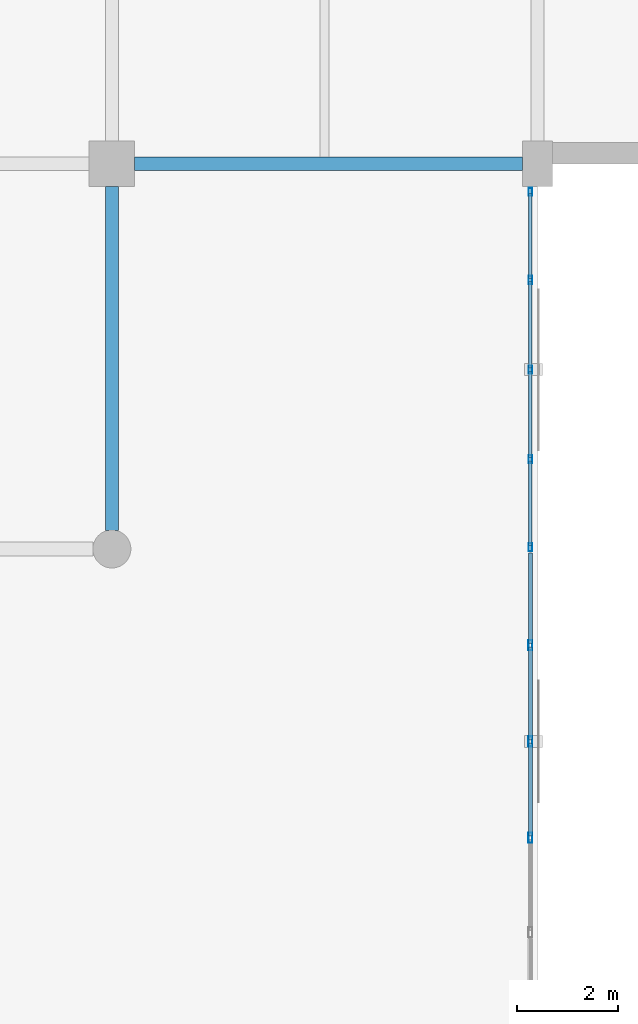
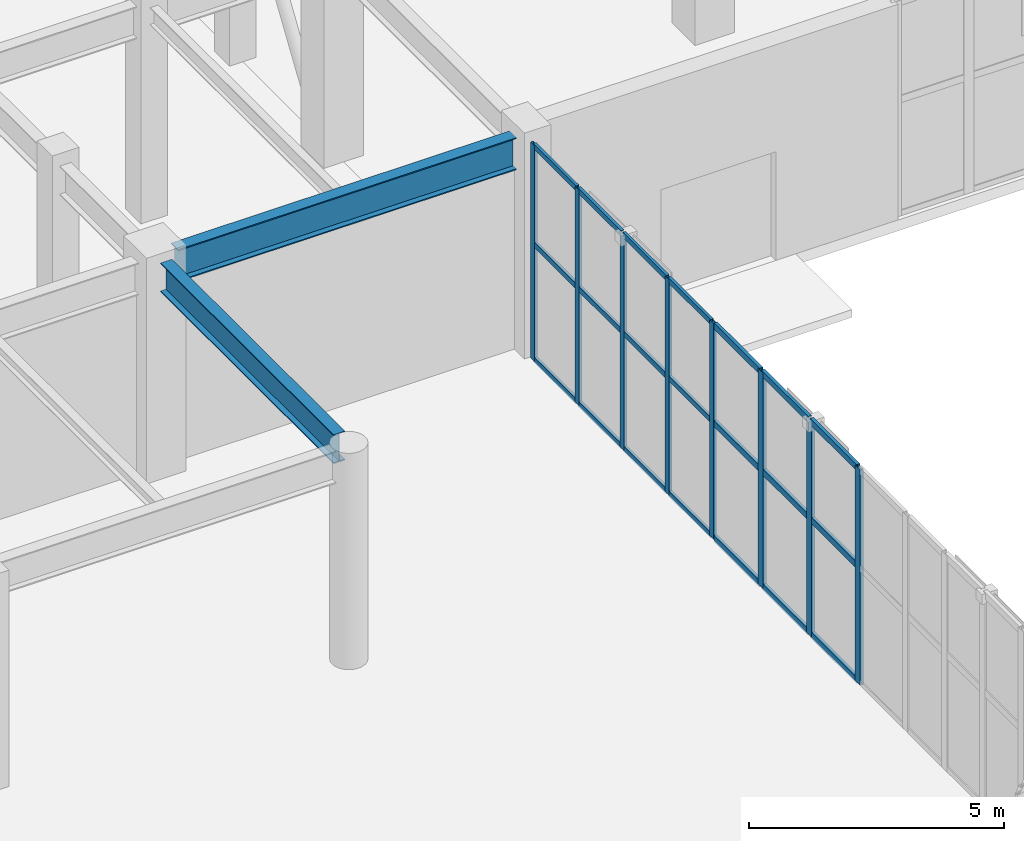
# One storey, part 35 of 139: 29 members, 2 beams, 2 elements without a shape of their own.
"""IFC4 building model written with IfcOpenShell, lengths in metres."""

from ifc_helpers import new_model, si_unit, direction, frame, origin, origin_2d, place, context, subcontext, project, spatial, hollow_rectangle, i_section, extrude, material, layer, layer_set, material_profile, profile_set, type_object, element, aggregate, save


model = new_model("IFC4")

# Units and contexts
model_context = context("Model", 3, precision=1e-05, world=origin(), true_north=direction((0.0, 1.0)))
body_context = subcontext(model_context, "Body", "Model", "MODEL_VIEW")
ifc_project = project(units=[si_unit("LENGTHUNIT", "METRE"), si_unit("AREAUNIT", "SQUARE_METRE"), si_unit("VOLUMEUNIT", "CUBIC_METRE"), si_unit("PLANEANGLEUNIT", "RADIAN"), si_unit("MASSUNIT", "GRAM", prefix="KILO")], contexts=[model_context])

# Site, building, storey
site_placement = place(None, origin())
site = spatial("IfcSite", under=ifc_project, at=site_placement, CompositionType="ELEMENT")
building_placement = place(site_placement, origin())
building = spatial("IfcBuilding", under=site, at=building_placement, Name="Xicomal Pleat Aquarium", CompositionType="ELEMENT")
storey_placement = place(building_placement, origin())
storey = spatial("IfcBuildingStorey", under=building, at=storey_placement, Name="L01", CompositionType="ELEMENT", Elevation=0.0)

# Beams
ifc_material_1 = material(Name="Structural steel A992 Gr 50", Category="steel")
ifc_material_profile_1 = material_profile(ifc_material_1, i_section(OverallWidth=0.256103515625, OverallDepth=0.693115234375, WebThickness=0.014404296875, FlangeThickness=0.023681640625, at=origin_2d()), Name="IR 690x170")
ifc_profile_set_1 = profile_set([ifc_material_profile_1], Name="Structural steel A992 Gr 50")
beam_type_1 = type_object("IfcBeamType", Name="BM-STL-IR690", PredefinedType="BEAM", material=ifc_profile_set_1)
beam_1_placement = place(storey_placement, frame((85.800048828125, 23.169921875, 4.82861328125), z_axis=(0.0, 1.0, 0.0), x_axis=(-1.0, 0.0, 0.0)))
element("IfcBeam", 1, at=beam_1_placement, inside=storey, type_object=beam_type_1, Name="L01 framing beam FGY-L01-11-D-E", PredefinedType="BEAM", context=body_context, shape_type="SweptSolid", body=[
    extrude(i_section(OverallWidth=0.256103515625, OverallDepth=0.693115234375, WebThickness=0.014404296875, FlangeThickness=0.023681640625, at=origin_2d()), origin(), (0.0, 0.0, 1.0), 6.78515625),
])
ifc_material_2 = material(Name="Structural steel A992 Gr 50", Category="steel")
ifc_material_profile_2 = material_profile(ifc_material_2, i_section(OverallWidth=0.26806640625, OverallDepth=0.77001953125, WebThickness=0.015625, FlangeThickness=0.025390625, at=origin_2d()), Name="IR 760x196")
ifc_profile_set_2 = profile_set([ifc_material_profile_2], Name="Structural steel A992 Gr 50")
beam_type_2 = type_object("IfcBeamType", Name="BM-STL-IR760", PredefinedType="BEAM", material=ifc_profile_set_2)
beam_2_placement = place(storey_placement, frame((86.2451171875, 30.39990234375, 4.715087890625), z_axis=(1.0, 0.0, 0.0), x_axis=(0.0, 1.0, 0.0)))
element("IfcBeam", 2, at=beam_2_placement, inside=storey, type_object=beam_type_2, Name="L01 framing beam FGX-L01-11-12-E", PredefinedType="BEAM", context=body_context, shape_type="SweptSolid", body=[
    extrude(i_section(OverallWidth=0.26806640625, OverallDepth=0.77001953125, WebThickness=0.015625, FlangeThickness=0.025390625, at=origin_2d()), origin(), (0.0, 0.0, 1.0), 7.659912109375),
])

# Curtain wall, members
ifc_material_3 = material(Name="Bronze anodized aluminium 6063-T6", Category="aluminium")
ifc_layer_1 = layer(ifc_material_3, 0.159912109375)
ifc_layer_set_1 = layer_set([ifc_layer_1], Name="Bronze anodized aluminium 6063-T6")
curtain_wall_type_1 = type_object("IfcCurtainWallType", Name="CW-SYS-01", PredefinedType="NOTDEFINED", material=ifc_layer_set_1)
curtain_wall_1_placement = place(storey_placement, origin())
curtain_wall_1 = element("IfcCurtainWall", 3, at=curtain_wall_1_placement, inside=storey, type_object=curtain_wall_type_1, Name="L01 unitised curtain wall CW-L01-051", PredefinedType="NOTDEFINED")
ifc_material_4 = material(Name="Bronze anodized aluminium 6063-T6", Category="aluminium")
ifc_material_profile_3 = material_profile(ifc_material_4, hollow_rectangle(XDim=0.06494140625, YDim=0.159912109375, WallThickness=0.00390625, at=origin_2d()), Name="ALU MULL 65x160")
ifc_profile_set_3 = profile_set([ifc_material_profile_3], Name="Bronze anodized aluminium 6063-T6")
member_type_1 = type_object("IfcMemberType", Name="CWM-65x160", PredefinedType="MULLION", material=ifc_profile_set_3)
member_1_placement = place(storey_placement, frame((94.06005859375, 29.847412109375, 0.0), z_axis=(0.0, 0.0, 1.0), x_axis=(1.0, 0.0, 0.0)))
member_1 = element("IfcMember", 4, at=member_1_placement, type_object=member_type_1, Name="CW-01 mullion 1", PredefinedType="MULLION", context=body_context, shape_type="SweptSolid", body=[
    extrude(hollow_rectangle(XDim=0.06494140625, YDim=0.159912109375, WallThickness=0.00390625, at=origin_2d()), origin(), (0.0, 0.0, 1.0), 5.159912109375),
])
member_2_placement = place(storey_placement, frame((94.06005859375, 28.110107421875, 0.0), z_axis=(0.0, 0.0, 1.0), x_axis=(1.0, 0.0, 0.0)))
member_2 = element("IfcMember", 5, at=member_2_placement, type_object=member_type_1, Name="CW-01 mullion 2", PredefinedType="MULLION", context=body_context, shape_type="SweptSolid", body=[
    extrude(hollow_rectangle(XDim=0.06494140625, YDim=0.159912109375, WallThickness=0.00390625, at=origin_2d()), origin(), (0.0, 0.0, 1.0), 5.159912109375),
])
member_3_placement = place(storey_placement, frame((94.06005859375, 26.340087890625, 0.0), z_axis=(0.0, 0.0, 1.0), x_axis=(1.0, 0.0, 0.0)))
member_3 = element("IfcMember", 6, at=member_3_placement, type_object=member_type_1, Name="CW-01 mullion 3", PredefinedType="MULLION", context=body_context, shape_type="SweptSolid", body=[
    extrude(hollow_rectangle(XDim=0.06494140625, YDim=0.159912109375, WallThickness=0.00390625, at=origin_2d()), origin(), (0.0, 0.0, 1.0), 5.159912109375),
])
member_4_placement = place(storey_placement, frame((94.06005859375, 24.570068359375, 0.0), z_axis=(0.0, 0.0, 1.0), x_axis=(1.0, 0.0, 0.0)))
member_4 = element("IfcMember", 7, at=member_4_placement, type_object=member_type_1, Name="CW-01 mullion 4", PredefinedType="MULLION", context=body_context, shape_type="SweptSolid", body=[
    extrude(hollow_rectangle(XDim=0.06494140625, YDim=0.159912109375, WallThickness=0.00390625, at=origin_2d()), origin(), (0.0, 0.0, 1.0), 5.159912109375),
])
member_5_placement = place(storey_placement, frame((94.06005859375, 22.83251953125, 0.0), z_axis=(0.0, 0.0, 1.0), x_axis=(1.0, 0.0, 0.0)))
member_5 = element("IfcMember", 8, at=member_5_placement, type_object=member_type_1, Name="CW-01 mullion 5", PredefinedType="MULLION", context=body_context, shape_type="SweptSolid", body=[
    extrude(hollow_rectangle(XDim=0.06494140625, YDim=0.159912109375, WallThickness=0.00390625, at=origin_2d()), origin(), (0.0, 0.0, 1.0), 5.159912109375),
])

ifc_material_5 = material(Name="Bronze anodized aluminium 6063-T6", Category="aluminium")
ifc_layer_2 = layer(ifc_material_5, 0.159912109375)
ifc_layer_set_2 = layer_set([ifc_layer_2], Name="Bronze anodized aluminium 6063-T6")
curtain_wall_type_2 = type_object("IfcCurtainWallType", Name="CW-SYS-06", PredefinedType="NOTDEFINED", material=ifc_layer_set_2)
curtain_wall_2_placement = place(storey_placement, origin())
curtain_wall_2 = element("IfcCurtainWall", 9, at=curtain_wall_2_placement, inside=storey, type_object=curtain_wall_type_2, Name="L01 unitised curtain wall CW-L01-052", PredefinedType="NOTDEFINED")
ifc_material_6 = material(Name="Bronze anodized aluminium 6063-T6", Category="aluminium")
ifc_material_profile_4 = material_profile(ifc_material_6, hollow_rectangle(XDim=0.074951171875, YDim=0.199951171875, WallThickness=0.00439453125, at=origin_2d()), Name="ALU MULL 75x200")
ifc_profile_set_4 = profile_set([ifc_material_profile_4], Name="Bronze anodized aluminium 6063-T6")
member_type_2 = type_object("IfcMemberType", Name="CWM-75x200", PredefinedType="MULLION", material=ifc_profile_set_4)
member_6_placement = place(storey_placement, frame((94.06005859375, 20.89990234375, 0.0), z_axis=(0.0, 0.0, 1.0), x_axis=(1.0, 0.0, 0.0)))
member_6 = element("IfcMember", 10, at=member_6_placement, type_object=member_type_2, Name="CW-06 mullion 2", PredefinedType="MULLION", context=body_context, shape_type="SweptSolid", body=[
    extrude(hollow_rectangle(XDim=0.074951171875, YDim=0.199951171875, WallThickness=0.00439453125, at=origin_2d()), origin(), (0.0, 0.0, 1.0), 5.159912109375),
])
member_7_placement = place(storey_placement, frame((94.06005859375, 19.0, 0.0), z_axis=(0.0, 0.0, 1.0), x_axis=(1.0, 0.0, 0.0)))
member_7 = element("IfcMember", 11, at=member_7_placement, type_object=member_type_2, Name="CW-06 mullion 3", PredefinedType="MULLION", context=body_context, shape_type="SweptSolid", body=[
    extrude(hollow_rectangle(XDim=0.074951171875, YDim=0.199951171875, WallThickness=0.00439453125, at=origin_2d()), origin(), (0.0, 0.0, 1.0), 5.159912109375),
])
member_8_placement = place(storey_placement, frame((94.06005859375, 17.10009765625, 0.0), z_axis=(0.0, 0.0, 1.0), x_axis=(1.0, 0.0, 0.0)))
member_8 = element("IfcMember", 12, at=member_8_placement, type_object=member_type_2, Name="CW-06 mullion 4", PredefinedType="MULLION", context=body_context, shape_type="SweptSolid", body=[
    extrude(hollow_rectangle(XDim=0.074951171875, YDim=0.199951171875, WallThickness=0.00439453125, at=origin_2d()), origin(), (0.0, 0.0, 1.0), 5.159912109375),
])

# Member
ifc_material_7 = material(Name="Bronze anodized aluminium 6063-T6", Category="aluminium")
ifc_material_profile_5 = material_profile(ifc_material_7, hollow_rectangle(XDim=0.06494140625, YDim=0.1298828125, WallThickness=0.00390625, at=origin_2d()), Name="ALU TRAN 65x130")
ifc_profile_set_5 = profile_set([ifc_material_profile_5], Name="Bronze anodized aluminium 6063-T6")
member_type_3 = type_object("IfcMemberType", Name="CWT-65x130", PredefinedType="USERDEFINED", material=ifc_profile_set_5)
member_9_placement = place(storey_placement, frame((94.06005859375, 29.81494140625, 0.032470703125), z_axis=(0.0, -1.0, 0.0), x_axis=(1.0, 0.0, 0.0)))
member_9 = element("IfcMember", 13, at=member_9_placement, type_object=member_type_3, Name="CW-01 transom 1.1", ObjectType="TRANSOM", PredefinedType="USERDEFINED", context=body_context, shape_type="SweptSolid", body=[
    extrude(hollow_rectangle(XDim=0.06494140625, YDim=0.1298828125, WallThickness=0.00390625, at=origin_2d()), origin(), (0.0, 0.0, 1.0), 1.67236328125),
])

member_10_placement = place(storey_placement, frame((94.06005859375, 29.81494140625, 2.785888671875), z_axis=(0.0, -1.0, 0.0), x_axis=(1.0, 0.0, 0.0)))
member_10 = element("IfcMember", 14, at=member_10_placement, type_object=member_type_3, Name="CW-01 transom 1.2", ObjectType="TRANSOM", PredefinedType="USERDEFINED", context=body_context, shape_type="SweptSolid", body=[
    extrude(hollow_rectangle(XDim=0.06494140625, YDim=0.1298828125, WallThickness=0.00390625, at=origin_2d()), origin(), (0.0, 0.0, 1.0), 1.67236328125),
])

member_11_placement = place(storey_placement, frame((94.06005859375, 29.81494140625, 5.12744140625), z_axis=(0.0, -1.0, 0.0), x_axis=(1.0, 0.0, 0.0)))
member_11 = element("IfcMember", 15, at=member_11_placement, type_object=member_type_3, Name="CW-01 transom 1.3", ObjectType="TRANSOM", PredefinedType="USERDEFINED", context=body_context, shape_type="SweptSolid", body=[
    extrude(hollow_rectangle(XDim=0.06494140625, YDim=0.1298828125, WallThickness=0.00390625, at=origin_2d()), origin(), (0.0, 0.0, 1.0), 1.67236328125),
])

member_12_placement = place(storey_placement, frame((94.06005859375, 28.077392578125, 0.032470703125), z_axis=(0.0, -1.0, 0.0), x_axis=(1.0, 0.0, 0.0)))
member_12 = element("IfcMember", 16, at=member_12_placement, type_object=member_type_3, Name="CW-01 transom 2.1", ObjectType="TRANSOM", PredefinedType="USERDEFINED", context=body_context, shape_type="SweptSolid", body=[
    extrude(hollow_rectangle(XDim=0.06494140625, YDim=0.1298828125, WallThickness=0.00390625, at=origin_2d()), origin(), (0.0, 0.0, 1.0), 1.704833984375),
])

member_13_placement = place(storey_placement, frame((94.06005859375, 28.077392578125, 2.785888671875), z_axis=(0.0, -1.0, 0.0), x_axis=(1.0, 0.0, 0.0)))
member_13 = element("IfcMember", 17, at=member_13_placement, type_object=member_type_3, Name="CW-01 transom 2.2", ObjectType="TRANSOM", PredefinedType="USERDEFINED", context=body_context, shape_type="SweptSolid", body=[
    extrude(hollow_rectangle(XDim=0.06494140625, YDim=0.1298828125, WallThickness=0.00390625, at=origin_2d()), origin(), (0.0, 0.0, 1.0), 1.704833984375),
])

member_14_placement = place(storey_placement, frame((94.06005859375, 28.077392578125, 5.12744140625), z_axis=(0.0, -1.0, 0.0), x_axis=(1.0, 0.0, 0.0)))
member_14 = element("IfcMember", 18, at=member_14_placement, type_object=member_type_3, Name="CW-01 transom 2.3", ObjectType="TRANSOM", PredefinedType="USERDEFINED", context=body_context, shape_type="SweptSolid", body=[
    extrude(hollow_rectangle(XDim=0.06494140625, YDim=0.1298828125, WallThickness=0.00390625, at=origin_2d()), origin(), (0.0, 0.0, 1.0), 1.704833984375),
])

member_15_placement = place(storey_placement, frame((94.06005859375, 26.3076171875, 0.032470703125), z_axis=(0.0, -1.0, 0.0), x_axis=(1.0, 0.0, 0.0)))
member_15 = element("IfcMember", 19, at=member_15_placement, type_object=member_type_3, Name="CW-01 transom 3.1", ObjectType="TRANSOM", PredefinedType="USERDEFINED", context=body_context, shape_type="SweptSolid", body=[
    extrude(hollow_rectangle(XDim=0.06494140625, YDim=0.1298828125, WallThickness=0.00390625, at=origin_2d()), origin(), (0.0, 0.0, 1.0), 1.705078125),
])

member_16_placement = place(storey_placement, frame((94.06005859375, 26.3076171875, 2.785888671875), z_axis=(0.0, -1.0, 0.0), x_axis=(1.0, 0.0, 0.0)))
member_16 = element("IfcMember", 20, at=member_16_placement, type_object=member_type_3, Name="CW-01 transom 3.2", ObjectType="TRANSOM", PredefinedType="USERDEFINED", context=body_context, shape_type="SweptSolid", body=[
    extrude(hollow_rectangle(XDim=0.06494140625, YDim=0.1298828125, WallThickness=0.00390625, at=origin_2d()), origin(), (0.0, 0.0, 1.0), 1.705078125),
])

member_17_placement = place(storey_placement, frame((94.06005859375, 26.3076171875, 5.12744140625), z_axis=(0.0, -1.0, 0.0), x_axis=(1.0, 0.0, 0.0)))
member_17 = element("IfcMember", 21, at=member_17_placement, type_object=member_type_3, Name="CW-01 transom 3.3", ObjectType="TRANSOM", PredefinedType="USERDEFINED", context=body_context, shape_type="SweptSolid", body=[
    extrude(hollow_rectangle(XDim=0.06494140625, YDim=0.1298828125, WallThickness=0.00390625, at=origin_2d()), origin(), (0.0, 0.0, 1.0), 1.705078125),
])

member_18_placement = place(storey_placement, frame((94.06005859375, 24.53759765625, 0.032470703125), z_axis=(0.0, -1.0, 0.0), x_axis=(1.0, 0.0, 0.0)))
member_18 = element("IfcMember", 22, at=member_18_placement, type_object=member_type_3, Name="CW-01 transom 4.1", ObjectType="TRANSOM", PredefinedType="USERDEFINED", context=body_context, shape_type="SweptSolid", body=[
    extrude(hollow_rectangle(XDim=0.06494140625, YDim=0.1298828125, WallThickness=0.00390625, at=origin_2d()), origin(), (0.0, 0.0, 1.0), 1.672607421875),
])

member_19_placement = place(storey_placement, frame((94.06005859375, 24.53759765625, 2.785888671875), z_axis=(0.0, -1.0, 0.0), x_axis=(1.0, 0.0, 0.0)))
member_19 = element("IfcMember", 23, at=member_19_placement, type_object=member_type_3, Name="CW-01 transom 4.2", ObjectType="TRANSOM", PredefinedType="USERDEFINED", context=body_context, shape_type="SweptSolid", body=[
    extrude(hollow_rectangle(XDim=0.06494140625, YDim=0.1298828125, WallThickness=0.00390625, at=origin_2d()), origin(), (0.0, 0.0, 1.0), 1.672607421875),
])

member_20_placement = place(storey_placement, frame((94.06005859375, 24.53759765625, 5.12744140625), z_axis=(0.0, -1.0, 0.0), x_axis=(1.0, 0.0, 0.0)))
member_20 = element("IfcMember", 24, at=member_20_placement, type_object=member_type_3, Name="CW-01 transom 4.3", ObjectType="TRANSOM", PredefinedType="USERDEFINED", context=body_context, shape_type="SweptSolid", body=[
    extrude(hollow_rectangle(XDim=0.06494140625, YDim=0.1298828125, WallThickness=0.00390625, at=origin_2d()), origin(), (0.0, 0.0, 1.0), 1.672607421875),
])

aggregate(curtain_wall_1, [member_1, member_2, member_3, member_4, member_5, member_9, member_10, member_11, member_12, member_13, member_14, member_15, member_16, member_17, member_18, member_19, member_20])

ifc_material_8 = material(Name="Bronze anodized aluminium 6063-T6", Category="aluminium")
ifc_material_profile_6 = material_profile(ifc_material_8, hollow_rectangle(XDim=0.074951171875, YDim=0.14990234375, WallThickness=0.00439453125, at=origin_2d()), Name="ALU TRAN 75x150")
ifc_profile_set_6 = profile_set([ifc_material_profile_6], Name="Bronze anodized aluminium 6063-T6")
member_type_4 = type_object("IfcMemberType", Name="CWT-75x150", PredefinedType="USERDEFINED", material=ifc_profile_set_6)
member_21_placement = place(storey_placement, frame((94.06005859375, 22.72509765625, 0.03759765625), z_axis=(0.0, -1.0, 0.0), x_axis=(1.0, 0.0, 0.0)))
member_21 = element("IfcMember", 25, at=member_21_placement, type_object=member_type_4, Name="CW-06 transom 1.1", ObjectType="TRANSOM", PredefinedType="USERDEFINED", context=body_context, shape_type="SweptSolid", body=[
    extrude(hollow_rectangle(XDim=0.074951171875, YDim=0.14990234375, WallThickness=0.00439453125, at=origin_2d()), origin(), (0.0, 0.0, 1.0), 1.78759765625),
])

member_22_placement = place(storey_placement, frame((94.06005859375, 22.72509765625, 2.785888671875), z_axis=(0.0, -1.0, 0.0), x_axis=(1.0, 0.0, 0.0)))
member_22 = element("IfcMember", 26, at=member_22_placement, type_object=member_type_4, Name="CW-06 transom 1.2", ObjectType="TRANSOM", PredefinedType="USERDEFINED", context=body_context, shape_type="SweptSolid", body=[
    extrude(hollow_rectangle(XDim=0.074951171875, YDim=0.14990234375, WallThickness=0.00439453125, at=origin_2d()), origin(), (0.0, 0.0, 1.0), 1.78759765625),
])

member_23_placement = place(storey_placement, frame((94.06005859375, 22.72509765625, 5.12255859375), z_axis=(0.0, -1.0, 0.0), x_axis=(1.0, 0.0, 0.0)))
member_23 = element("IfcMember", 27, at=member_23_placement, type_object=member_type_4, Name="CW-06 transom 1.3", ObjectType="TRANSOM", PredefinedType="USERDEFINED", context=body_context, shape_type="SweptSolid", body=[
    extrude(hollow_rectangle(XDim=0.074951171875, YDim=0.14990234375, WallThickness=0.00439453125, at=origin_2d()), origin(), (0.0, 0.0, 1.0), 1.78759765625),
])

member_24_placement = place(storey_placement, frame((94.06005859375, 20.862548828125, 0.03759765625), z_axis=(0.0, -1.0, 0.0), x_axis=(1.0, 0.0, 0.0)))
member_24 = element("IfcMember", 28, at=member_24_placement, type_object=member_type_4, Name="CW-06 transom 2.1", ObjectType="TRANSOM", PredefinedType="USERDEFINED", context=body_context, shape_type="SweptSolid", body=[
    extrude(hollow_rectangle(XDim=0.074951171875, YDim=0.14990234375, WallThickness=0.00439453125, at=origin_2d()), origin(), (0.0, 0.0, 1.0), 1.824951171875),
])

member_25_placement = place(storey_placement, frame((94.06005859375, 20.862548828125, 2.785888671875), z_axis=(0.0, -1.0, 0.0), x_axis=(1.0, 0.0, 0.0)))
member_25 = element("IfcMember", 29, at=member_25_placement, type_object=member_type_4, Name="CW-06 transom 2.2", ObjectType="TRANSOM", PredefinedType="USERDEFINED", context=body_context, shape_type="SweptSolid", body=[
    extrude(hollow_rectangle(XDim=0.074951171875, YDim=0.14990234375, WallThickness=0.00439453125, at=origin_2d()), origin(), (0.0, 0.0, 1.0), 1.824951171875),
])

member_26_placement = place(storey_placement, frame((94.06005859375, 20.862548828125, 5.12255859375), z_axis=(0.0, -1.0, 0.0), x_axis=(1.0, 0.0, 0.0)))
member_26 = element("IfcMember", 30, at=member_26_placement, type_object=member_type_4, Name="CW-06 transom 2.3", ObjectType="TRANSOM", PredefinedType="USERDEFINED", context=body_context, shape_type="SweptSolid", body=[
    extrude(hollow_rectangle(XDim=0.074951171875, YDim=0.14990234375, WallThickness=0.00439453125, at=origin_2d()), origin(), (0.0, 0.0, 1.0), 1.824951171875),
])

member_27_placement = place(storey_placement, frame((94.06005859375, 18.96240234375, 0.03759765625), z_axis=(0.0, -1.0, 0.0), x_axis=(1.0, 0.0, 0.0)))
member_27 = element("IfcMember", 31, at=member_27_placement, type_object=member_type_4, Name="CW-06 transom 3.1", ObjectType="TRANSOM", PredefinedType="USERDEFINED", context=body_context, shape_type="SweptSolid", body=[
    extrude(hollow_rectangle(XDim=0.074951171875, YDim=0.14990234375, WallThickness=0.00439453125, at=origin_2d()), origin(), (0.0, 0.0, 1.0), 1.824951171875),
])

member_28_placement = place(storey_placement, frame((94.06005859375, 18.96240234375, 2.785888671875), z_axis=(0.0, -1.0, 0.0), x_axis=(1.0, 0.0, 0.0)))
member_28 = element("IfcMember", 32, at=member_28_placement, type_object=member_type_4, Name="CW-06 transom 3.2", ObjectType="TRANSOM", PredefinedType="USERDEFINED", context=body_context, shape_type="SweptSolid", body=[
    extrude(hollow_rectangle(XDim=0.074951171875, YDim=0.14990234375, WallThickness=0.00439453125, at=origin_2d()), origin(), (0.0, 0.0, 1.0), 1.824951171875),
])

member_29_placement = place(storey_placement, frame((94.06005859375, 18.96240234375, 5.12255859375), z_axis=(0.0, -1.0, 0.0), x_axis=(1.0, 0.0, 0.0)))
member_29 = element("IfcMember", 33, at=member_29_placement, type_object=member_type_4, Name="CW-06 transom 3.3", ObjectType="TRANSOM", PredefinedType="USERDEFINED", context=body_context, shape_type="SweptSolid", body=[
    extrude(hollow_rectangle(XDim=0.074951171875, YDim=0.14990234375, WallThickness=0.00439453125, at=origin_2d()), origin(), (0.0, 0.0, 1.0), 1.824951171875),
])

aggregate(curtain_wall_2, [member_6, member_7, member_8, member_21, member_22, member_23, member_24, member_25, member_26, member_27, member_28, member_29])

save(model, "model.ifc")
